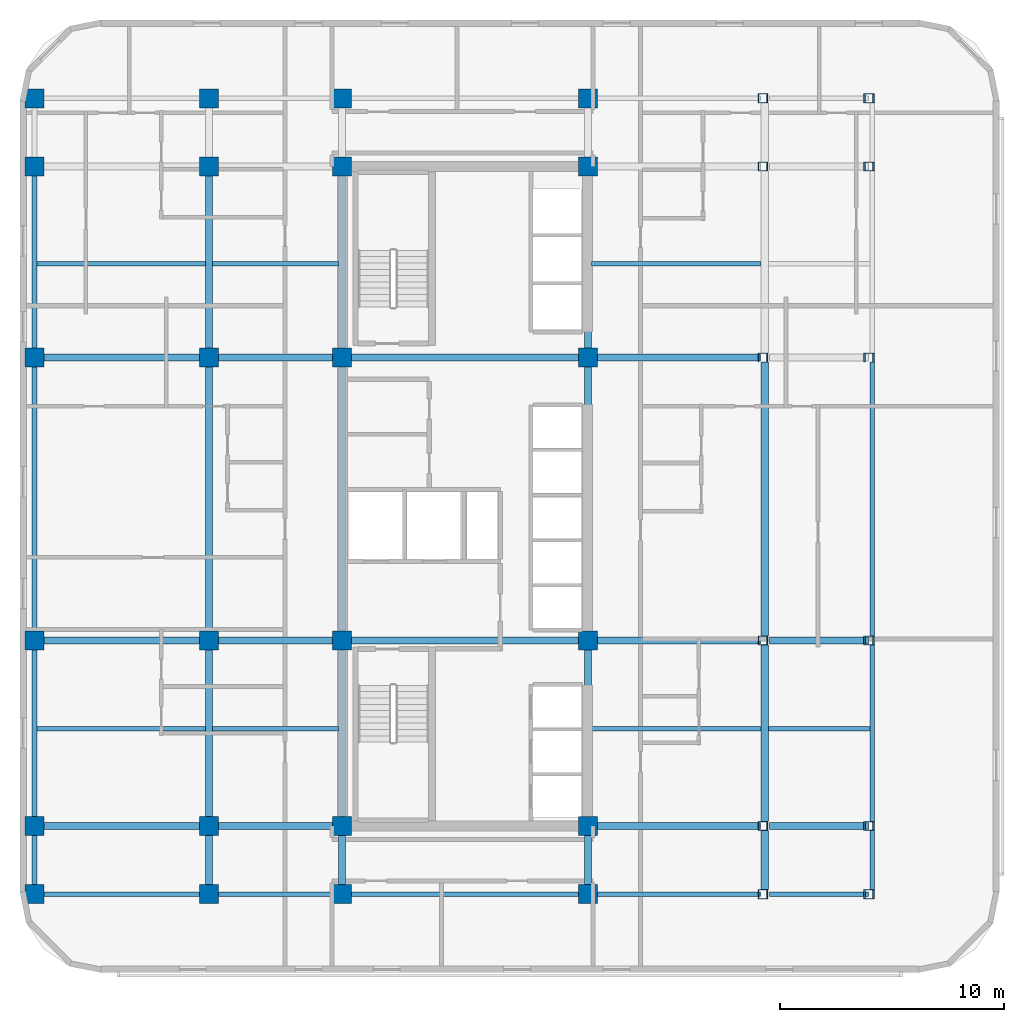
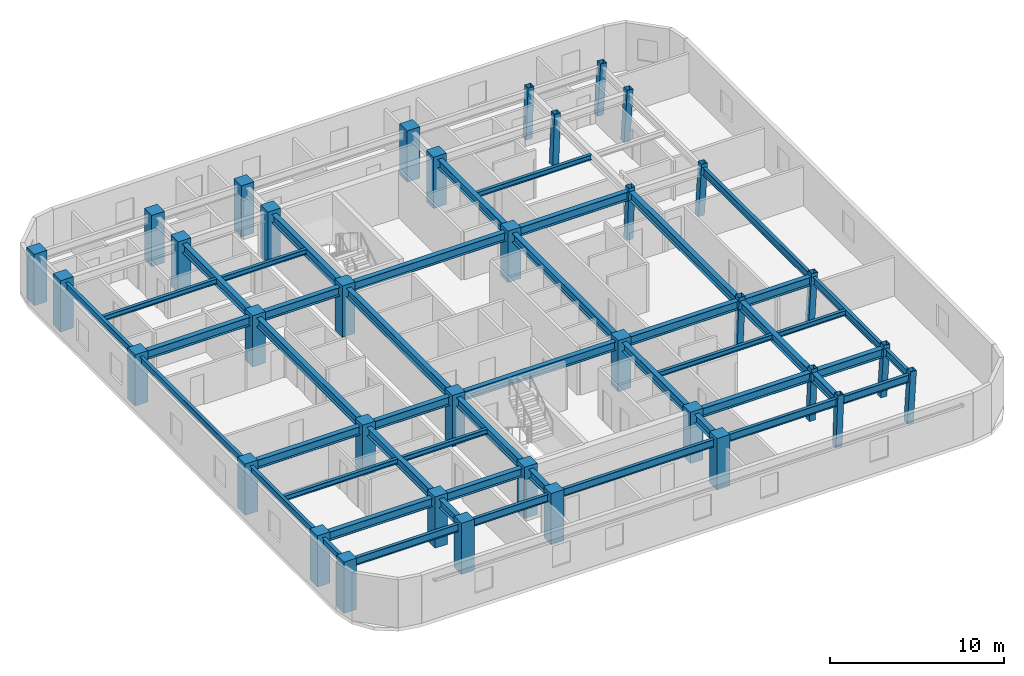
# One storey, part 1 of 11: 47 beams, 36 columns.
"""IFC4 building model written with IfcOpenShell, lengths in metres."""

from ifc_helpers import new_model, si_unit, direction, frame, origin, origin_2d, place, context, subcontext, project, spatial, rectangle, hollow_rectangle, i_section, extrude, material, material_profile, profile_set, type_object, element, save


model = new_model("IFC4")

# Units and contexts
model_context = context("Model", 3, precision=1e-05, world=origin(), true_north=direction((0.0, 1.0)))
body_context = subcontext(model_context, "Body", "Model", "MODEL_VIEW")
ifc_project = project(units=[si_unit("LENGTHUNIT", "METRE"), si_unit("AREAUNIT", "SQUARE_METRE"), si_unit("VOLUMEUNIT", "CUBIC_METRE"), si_unit("PLANEANGLEUNIT", "RADIAN"), si_unit("MASSUNIT", "GRAM", prefix="KILO")], contexts=[model_context])

# Site, building, storey
site_placement = place(None, origin())
site = spatial("IfcSite", under=ifc_project, at=site_placement, CompositionType="ELEMENT")
building_placement = place(site_placement, origin())
building = spatial("IfcBuilding", under=site, at=building_placement, Name="Ochreholt Gables", CompositionType="ELEMENT")
storey_placement = place(building_placement, frame((0.0, 0.0, 87.60009765625)))
storey = spatial("IfcBuildingStorey", under=building, at=storey_placement, Name="L22", CompositionType="ELEMENT", Elevation=87.60009765625)

# Columns
ifc_material_1 = material(Name="Steel CSA G40.21 350W", Category="steel")
ifc_material_profile_1 = material_profile(ifc_material_1, hollow_rectangle(XDim=0.406005859375, YDim=0.406005859375, WallThickness=0.01611328125, at=origin_2d()), Name="HSS406X406X16")
ifc_profile_set_1 = profile_set([ifc_material_profile_1], Name="Steel CSA G40.21 350W")
column_type_1 = type_object("IfcColumnType", Name="COL-HSS406-RAK", PredefinedType="COLUMN", material=ifc_profile_set_1)
for number, where, z_axis, x_axis, name in (
    (1, (43.001953125, 9.25, 0.0), (0.034973505036, 0.0, 0.999388239847), (0.0, 1.0, 0.0), "L22 Column EMY2"),
    (2, (43.001953125, 17.550048828125, 0.0), (0.034973505036, 0.0, 0.999388239847), (0.0, 1.0, 0.0), "L22 Column EMY3"),
    (3, (43.001953125, 30.199951171875, 0.0), (0.034973505036, 0.0, 0.999388239847), (0.0, 1.0, 0.0), "L22 Column EMY4"),
    (4, (43.001953125, 38.75, 0.0), (0.034973505036, 0.0, 0.999388239847), (0.0, 1.0, 0.0), "L22 Column EMY5"),
):
    element("IfcColumn", number, at=place(storey_placement, frame(where, z_axis=z_axis, x_axis=x_axis)), inside=storey, type_object=column_type_1, Name=name, PredefinedType="COLUMN", context=body_context, shape_type="SweptSolid", body=[
        extrude(hollow_rectangle(XDim=0.406005859375, YDim=0.406005859375, WallThickness=0.01611328125, at=origin_2d()), origin(), (0.0, 0.0, 1.0), 3.60205078125),
    ])
ifc_material_profile_2 = material_profile(ifc_material_1, hollow_rectangle(XDim=0.406005859375, YDim=0.406005859375, WallThickness=0.01611328125, at=origin_2d()), Name="HSS406X406X16")
ifc_profile_set_2 = profile_set([ifc_material_profile_2], Name="Steel CSA G40.21 350W")
column_type_2 = type_object("IfcColumnType", Name="COL-HSS406-RAKE", PredefinedType="COLUMN", material=ifc_profile_set_2)
for number, where, z_axis, x_axis, name in (
    (5, (43.001953125, 6.199951171875, 0.0), (0.034973505036, 0.0, 0.999388239847), (0.0, 1.0, 0.0), "L22 Column EMY1"),
    (6, (43.001953125, 41.800048828125, 0.0), (0.034973505036, 0.0, 0.999388239847), (0.0, 1.0, 0.0), "L22 Column EMY6"),
):
    element("IfcColumn", number, at=place(storey_placement, frame(where, z_axis=z_axis, x_axis=x_axis)), inside=storey, type_object=column_type_2, Name=name, PredefinedType="COLUMN", context=body_context, shape_type="SweptSolid", body=[
        extrude(hollow_rectangle(XDim=0.406005859375, YDim=0.406005859375, WallThickness=0.01611328125, at=origin_2d()), origin(), (0.0, 0.0, 1.0), 3.60205078125),
    ])
for number, where, z_axis, x_axis, name in (
    (7, (47.737548828125, 6.199951171875, 0.0), (0.057888518877, 0.0, 0.998323053617), (0.0, 1.0, 0.0), "L22 Column EEY1"),
    (8, (47.737548828125, 9.25, 0.0), (0.057888518877, 0.0, 0.998323053617), (0.0, 1.0, 0.0), "L22 Column EEY2"),
    (9, (47.737548828125, 17.550048828125, 0.0), (0.057888518877, 0.0, 0.998323053617), (0.0, 1.0, 0.0), "L22 Column EEY3"),
    (10, (47.737548828125, 30.199951171875, 0.0), (0.057888518877, 0.0, 0.998323053617), (0.0, 1.0, 0.0), "L22 Column EEY4"),
    (11, (47.737548828125, 38.75, 0.0), (0.057888518877, 0.0, 0.998323053617), (0.0, 1.0, 0.0), "L22 Column EEY5"),
    (12, (47.737548828125, 41.800048828125, 0.0), (0.057888518877, 0.0, 0.998323053617), (0.0, 1.0, 0.0), "L22 Column EEY6"),
):
    element("IfcColumn", number, at=place(storey_placement, frame(where, z_axis=z_axis, x_axis=x_axis)), inside=storey, type_object=column_type_2, Name=name, PredefinedType="COLUMN", context=body_context, shape_type="SweptSolid", body=[
        extrude(hollow_rectangle(XDim=0.406005859375, YDim=0.406005859375, WallThickness=0.01611328125, at=origin_2d()), origin(), (0.0, 0.0, 1.0), 3.60595703125),
    ])
ifc_material_2 = material(Name="Concrete 60 MPa", Category="concrete")
ifc_material_profile_3 = material_profile(ifc_material_2, rectangle(XDim=0.85009765625, YDim=0.85009765625, at=origin_2d()), Name="RC850X850")
ifc_profile_set_3 = profile_set([ifc_material_profile_3], Name="Concrete 60 MPa")
column_type_3 = type_object("IfcColumnType", Name="COL-RC850-EXT", PredefinedType="COLUMN", material=ifc_profile_set_3)
for number, where, z_axis, x_axis, name in (
    (13, (10.449951171875, 6.199951171875, 0.0), (0.0, 0.0, 1.0), (1.0, 0.0, 0.0), "L22 Column W2Y1"),
    (14, (10.449951171875, 9.25, 0.0), (0.0, 0.0, 1.0), (1.0, 0.0, 0.0), "L22 Column W2Y2"),
    (15, (10.449951171875, 17.550048828125, 0.0), (0.0, 0.0, 1.0), (1.0, 0.0, 0.0), "L22 Column W2Y3"),
    (16, (10.449951171875, 30.199951171875, 0.0), (0.0, 0.0, 1.0), (1.0, 0.0, 0.0), "L22 Column W2Y4"),
    (17, (10.449951171875, 38.75, 0.0), (0.0, 0.0, 1.0), (1.0, 0.0, 0.0), "L22 Column W2Y5"),
    (18, (10.449951171875, 41.800048828125, 0.0), (0.0, 0.0, 1.0), (1.0, 0.0, 0.0), "L22 Column W2Y6"),
    (19, (18.25, 6.199951171875, 0.0), (0.0, 0.0, 1.0), (1.0, 0.0, 0.0), "L22 Column W3Y1"),
    (20, (18.25, 41.800048828125, 0.0), (0.0, 0.0, 1.0), (1.0, 0.0, 0.0), "L22 Column W3Y6"),
    (21, (24.199951171875, 6.199951171875, 0.0), (0.0, 0.0, 1.0), (1.0, 0.0, 0.0), "L22 Column C1Y1"),
    (22, (24.199951171875, 41.800048828125, 0.0), (0.0, 0.0, 1.0), (1.0, 0.0, 0.0), "L22 Column C1Y6"),
    (23, (35.199951171875, 6.199951171875, 0.0), (0.0, 0.0, 1.0), (1.0, 0.0, 0.0), "L22 Column C2Y1"),
    (24, (35.199951171875, 41.800048828125, 0.0), (0.0, 0.0, 1.0), (1.0, 0.0, 0.0), "L22 Column C2Y6"),
):
    element("IfcColumn", number, at=place(storey_placement, frame(where, z_axis=z_axis, x_axis=x_axis)), inside=storey, type_object=column_type_3, Name=name, PredefinedType="COLUMN", context=body_context, shape_type="SweptSolid", body=[
        extrude(rectangle(XDim=0.85009765625, YDim=0.85009765625, at=origin_2d()), origin(), (0.0, 0.0, 1.0), 3.599853515625),
    ])
ifc_material_profile_4 = material_profile(ifc_material_2, rectangle(XDim=0.85009765625, YDim=0.85009765625, at=origin_2d()), Name="RC850X850")
ifc_profile_set_4 = profile_set([ifc_material_profile_4], Name="Concrete 60 MPa")
column_type_4 = type_object("IfcColumnType", Name="COL-RC850-INT", PredefinedType="COLUMN", material=ifc_profile_set_4)
for number, where, z_axis, x_axis, name in (
    (25, (18.25, 9.25, 0.0), (0.0, 0.0, 1.0), (1.0, 0.0, 0.0), "L22 Column W3Y2"),
    (26, (18.25, 17.550048828125, 0.0), (0.0, 0.0, 1.0), (1.0, 0.0, 0.0), "L22 Column W3Y3"),
    (27, (18.25, 30.199951171875, 0.0), (0.0, 0.0, 1.0), (1.0, 0.0, 0.0), "L22 Column W3Y4"),
    (28, (18.25, 38.75, 0.0), (0.0, 0.0, 1.0), (1.0, 0.0, 0.0), "L22 Column W3Y5"),
    (29, (24.199951171875, 9.25, 0.0), (0.0, 0.0, 1.0), (1.0, 0.0, 0.0), "L22 Column C1Y2"),
    (30, (24.199951171875, 17.550048828125, 0.0), (0.0, 0.0, 1.0), (1.0, 0.0, 0.0), "L22 Column C1Y3"),
    (31, (24.199951171875, 30.199951171875, 0.0), (0.0, 0.0, 1.0), (1.0, 0.0, 0.0), "L22 Column C1Y4"),
    (32, (24.199951171875, 38.75, 0.0), (0.0, 0.0, 1.0), (1.0, 0.0, 0.0), "L22 Column C1Y5"),
    (33, (35.199951171875, 9.25, 0.0), (0.0, 0.0, 1.0), (1.0, 0.0, 0.0), "L22 Column C2Y2"),
    (34, (35.199951171875, 17.550048828125, 0.0), (0.0, 0.0, 1.0), (1.0, 0.0, 0.0), "L22 Column C2Y3"),
    (35, (35.199951171875, 30.199951171875, 0.0), (0.0, 0.0, 1.0), (1.0, 0.0, 0.0), "L22 Column C2Y4"),
    (36, (35.199951171875, 38.75, 0.0), (0.0, 0.0, 1.0), (1.0, 0.0, 0.0), "L22 Column C2Y5"),
):
    element("IfcColumn", number, at=place(storey_placement, frame(where, z_axis=z_axis, x_axis=x_axis)), inside=storey, type_object=column_type_4, Name=name, PredefinedType="COLUMN", context=body_context, shape_type="SweptSolid", body=[
        extrude(rectangle(XDim=0.85009765625, YDim=0.85009765625, at=origin_2d()), origin(), (0.0, 0.0, 1.0), 3.599853515625),
    ])

# Beams
ifc_material_profile_5 = material_profile(ifc_material_1, i_section(OverallWidth=0.323974609375, OverallDepth=0.611083984375, WebThickness=0.0126953125, FlangeThickness=0.01904296875, at=origin_2d()), Name="W610X155")
ifc_profile_set_5 = profile_set([ifc_material_profile_5], Name="Steel CSA G40.21 350W")
beam_type_1 = type_object("IfcBeamType", Name="BM-G-W610A", PredefinedType="BEAM", material=ifc_profile_set_5)
beam_1_placement = place(storey_placement, frame((10.87451171875, 9.25, 3.054443359375), z_axis=(1.0, 0.0, 0.0), x_axis=(0.0, 1.0, 0.0)))
element("IfcBeam", 37, at=beam_1_placement, inside=storey, type_object=beam_type_1, Name="L22 Beam TBG-L22-W2W3-Y2", PredefinedType="BEAM", context=body_context, shape_type="SweptSolid", body=[
    extrude(i_section(OverallWidth=0.323974609375, OverallDepth=0.611083984375, WebThickness=0.0126953125, FlangeThickness=0.01904296875, at=origin_2d()), origin(), (0.0, 0.0, 1.0), 6.950927734375),
])
beam_2_placement = place(storey_placement, frame((18.674560546875, 9.25, 3.054443359375), z_axis=(1.0, 0.0, 0.0), x_axis=(0.0, 1.0, 0.0)))
element("IfcBeam", 38, at=beam_2_placement, inside=storey, type_object=beam_type_1, Name="L22 Beam TBG-L22-W3C1-Y2", PredefinedType="BEAM", context=body_context, shape_type="SweptSolid", body=[
    extrude(i_section(OverallWidth=0.323974609375, OverallDepth=0.611083984375, WebThickness=0.0126953125, FlangeThickness=0.01904296875, at=origin_2d()), origin(), (0.0, 0.0, 1.0), 5.100830078125),
])
beam_3_placement = place(storey_placement, frame((35.62451171875, 9.25, 3.054443359375), z_axis=(1.0, 0.0, 0.0), x_axis=(0.0, 1.0, 0.0)))
element("IfcBeam", 39, at=beam_3_placement, inside=storey, type_object=beam_type_1, Name="L22 Beam TBG-L22-C2EM-Y2", PredefinedType="BEAM", context=body_context, shape_type="SweptSolid", body=[
    extrude(i_section(OverallWidth=0.323974609375, OverallDepth=0.611083984375, WebThickness=0.0126953125, FlangeThickness=0.01904296875, at=origin_2d()), origin(), (0.0, 0.0, 1.0), 7.30078125),
])
beam_4_placement = place(storey_placement, frame((43.33056640625, 9.25, 3.054443359375), z_axis=(1.0, 0.0, 0.0), x_axis=(0.0, 1.0, 0.0)))
element("IfcBeam", 40, at=beam_4_placement, inside=storey, type_object=beam_type_1, Name="L22 Beam TBG-L22-EMEE-Y2", PredefinedType="BEAM", context=body_context, shape_type="SweptSolid", body=[
    extrude(i_section(OverallWidth=0.323974609375, OverallDepth=0.611083984375, WebThickness=0.0126953125, FlangeThickness=0.01904296875, at=origin_2d()), origin(), (0.0, 0.0, 1.0), 4.413330078125),
])
beam_5_placement = place(storey_placement, frame((10.87451171875, 17.550048828125, 3.054443359375), z_axis=(1.0, 0.0, 0.0), x_axis=(0.0, 1.0, 0.0)))
element("IfcBeam", 41, at=beam_5_placement, inside=storey, type_object=beam_type_1, Name="L22 Beam TBG-L22-W2W3-Y3", PredefinedType="BEAM", context=body_context, shape_type="SweptSolid", body=[
    extrude(i_section(OverallWidth=0.323974609375, OverallDepth=0.611083984375, WebThickness=0.0126953125, FlangeThickness=0.01904296875, at=origin_2d()), origin(), (0.0, 0.0, 1.0), 6.950927734375),
])
beam_6_placement = place(storey_placement, frame((18.674560546875, 17.550048828125, 3.054443359375), z_axis=(1.0, 0.0, 0.0), x_axis=(0.0, 1.0, 0.0)))
element("IfcBeam", 42, at=beam_6_placement, inside=storey, type_object=beam_type_1, Name="L22 Beam TBG-L22-W3C1-Y3", PredefinedType="BEAM", context=body_context, shape_type="SweptSolid", body=[
    extrude(i_section(OverallWidth=0.323974609375, OverallDepth=0.611083984375, WebThickness=0.0126953125, FlangeThickness=0.01904296875, at=origin_2d()), origin(), (0.0, 0.0, 1.0), 5.100830078125),
])
beam_7_placement = place(storey_placement, frame((24.62451171875, 17.550048828125, 3.054443359375), z_axis=(1.0, 0.0, 0.0), x_axis=(0.0, 1.0, 0.0)))
element("IfcBeam", 43, at=beam_7_placement, inside=storey, type_object=beam_type_1, Name="L22 Beam TBG-L22-C1C2-Y3", PredefinedType="BEAM", context=body_context, shape_type="SweptSolid", body=[
    extrude(i_section(OverallWidth=0.323974609375, OverallDepth=0.611083984375, WebThickness=0.0126953125, FlangeThickness=0.01904296875, at=origin_2d()), origin(), (0.0, 0.0, 1.0), 10.15087890625),
])
beam_8_placement = place(storey_placement, frame((35.62451171875, 17.550048828125, 3.054443359375), z_axis=(1.0, 0.0, 0.0), x_axis=(0.0, 1.0, 0.0)))
element("IfcBeam", 44, at=beam_8_placement, inside=storey, type_object=beam_type_1, Name="L22 Beam TBG-L22-C2EM-Y3", PredefinedType="BEAM", context=body_context, shape_type="SweptSolid", body=[
    extrude(i_section(OverallWidth=0.323974609375, OverallDepth=0.611083984375, WebThickness=0.0126953125, FlangeThickness=0.01904296875, at=origin_2d()), origin(), (0.0, 0.0, 1.0), 7.30078125),
])
beam_9_placement = place(storey_placement, frame((43.33056640625, 17.550048828125, 3.054443359375), z_axis=(1.0, 0.0, 0.0), x_axis=(0.0, 1.0, 0.0)))
element("IfcBeam", 45, at=beam_9_placement, inside=storey, type_object=beam_type_1, Name="L22 Beam TBG-L22-EMEE-Y3", PredefinedType="BEAM", context=body_context, shape_type="SweptSolid", body=[
    extrude(i_section(OverallWidth=0.323974609375, OverallDepth=0.611083984375, WebThickness=0.0126953125, FlangeThickness=0.01904296875, at=origin_2d()), origin(), (0.0, 0.0, 1.0), 4.413330078125),
])
beam_10_placement = place(storey_placement, frame((10.87451171875, 30.199951171875, 3.054443359375), z_axis=(1.0, 0.0, 0.0), x_axis=(0.0, 1.0, 0.0)))
element("IfcBeam", 46, at=beam_10_placement, inside=storey, type_object=beam_type_1, Name="L22 Beam TBG-L22-W2W3-Y4", PredefinedType="BEAM", context=body_context, shape_type="SweptSolid", body=[
    extrude(i_section(OverallWidth=0.323974609375, OverallDepth=0.611083984375, WebThickness=0.0126953125, FlangeThickness=0.01904296875, at=origin_2d()), origin(), (0.0, 0.0, 1.0), 6.950927734375),
])
beam_11_placement = place(storey_placement, frame((18.674560546875, 30.199951171875, 3.054443359375), z_axis=(1.0, 0.0, 0.0), x_axis=(0.0, 1.0, 0.0)))
element("IfcBeam", 47, at=beam_11_placement, inside=storey, type_object=beam_type_1, Name="L22 Beam TBG-L22-W3C1-Y4", PredefinedType="BEAM", context=body_context, shape_type="SweptSolid", body=[
    extrude(i_section(OverallWidth=0.323974609375, OverallDepth=0.611083984375, WebThickness=0.0126953125, FlangeThickness=0.01904296875, at=origin_2d()), origin(), (0.0, 0.0, 1.0), 5.100830078125),
])
beam_12_placement = place(storey_placement, frame((24.62451171875, 30.199951171875, 3.054443359375), z_axis=(1.0, 0.0, 0.0), x_axis=(0.0, 1.0, 0.0)))
element("IfcBeam", 48, at=beam_12_placement, inside=storey, type_object=beam_type_1, Name="L22 Beam TBG-L22-C1C2-Y4", PredefinedType="BEAM", context=body_context, shape_type="SweptSolid", body=[
    extrude(i_section(OverallWidth=0.323974609375, OverallDepth=0.611083984375, WebThickness=0.0126953125, FlangeThickness=0.01904296875, at=origin_2d()), origin(), (0.0, 0.0, 1.0), 10.15087890625),
])
beam_13_placement = place(storey_placement, frame((35.62451171875, 30.199951171875, 3.054443359375), z_axis=(1.0, 0.0, 0.0), x_axis=(0.0, 1.0, 0.0)))
element("IfcBeam", 49, at=beam_13_placement, inside=storey, type_object=beam_type_1, Name="L22 Beam TBG-L22-C2EM-Y4", PredefinedType="BEAM", context=body_context, shape_type="SweptSolid", body=[
    extrude(i_section(OverallWidth=0.323974609375, OverallDepth=0.611083984375, WebThickness=0.0126953125, FlangeThickness=0.01904296875, at=origin_2d()), origin(), (0.0, 0.0, 1.0), 7.30078125),
])
beam_14_placement = place(storey_placement, frame((18.25, 6.62451171875, 3.054443359375), z_axis=(0.0, 1.0, 0.0), x_axis=(-1.0, 0.0, 0.0)))
element("IfcBeam", 50, at=beam_14_placement, inside=storey, type_object=beam_type_1, Name="L22 Beam TBN-L22-W3-Y1Y2", PredefinedType="BEAM", context=body_context, shape_type="SweptSolid", body=[
    extrude(i_section(OverallWidth=0.323974609375, OverallDepth=0.611083984375, WebThickness=0.0126953125, FlangeThickness=0.01904296875, at=origin_2d()), origin(), (0.0, 0.0, 1.0), 2.200927734375),
])
beam_15_placement = place(storey_placement, frame((18.25, 9.674560546875, 3.054443359375), z_axis=(0.0, 1.0, 0.0), x_axis=(-1.0, 0.0, 0.0)))
element("IfcBeam", 51, at=beam_15_placement, inside=storey, type_object=beam_type_1, Name="L22 Beam TBN-L22-W3-Y2Y3", PredefinedType="BEAM", context=body_context, shape_type="SweptSolid", body=[
    extrude(i_section(OverallWidth=0.323974609375, OverallDepth=0.611083984375, WebThickness=0.0126953125, FlangeThickness=0.01904296875, at=origin_2d()), origin(), (0.0, 0.0, 1.0), 7.450927734375),
])
beam_16_placement = place(storey_placement, frame((18.25, 17.974609375, 3.054443359375), z_axis=(0.0, 1.0, 0.0), x_axis=(-1.0, 0.0, 0.0)))
element("IfcBeam", 52, at=beam_16_placement, inside=storey, type_object=beam_type_1, Name="L22 Beam TBN-L22-W3-Y3Y4", PredefinedType="BEAM", context=body_context, shape_type="SweptSolid", body=[
    extrude(i_section(OverallWidth=0.323974609375, OverallDepth=0.611083984375, WebThickness=0.0126953125, FlangeThickness=0.01904296875, at=origin_2d()), origin(), (0.0, 0.0, 1.0), 11.80078125),
])
beam_17_placement = place(storey_placement, frame((18.25, 30.62451171875, 3.054443359375), z_axis=(0.0, 1.0, 0.0), x_axis=(-1.0, 0.0, 0.0)))
element("IfcBeam", 53, at=beam_17_placement, inside=storey, type_object=beam_type_1, Name="L22 Beam TBN-L22-W3-Y4Y5", PredefinedType="BEAM", context=body_context, shape_type="SweptSolid", body=[
    extrude(i_section(OverallWidth=0.323974609375, OverallDepth=0.611083984375, WebThickness=0.0126953125, FlangeThickness=0.01904296875, at=origin_2d()), origin(), (0.0, 0.0, 1.0), 7.700927734375),
])
beam_18_placement = place(storey_placement, frame((24.199951171875, 6.62451171875, 3.054443359375), z_axis=(0.0, 1.0, 0.0), x_axis=(-1.0, 0.0, 0.0)))
element("IfcBeam", 54, at=beam_18_placement, inside=storey, type_object=beam_type_1, Name="L22 Beam TBN-L22-C1-Y1Y2", PredefinedType="BEAM", context=body_context, shape_type="SweptSolid", body=[
    extrude(i_section(OverallWidth=0.323974609375, OverallDepth=0.611083984375, WebThickness=0.0126953125, FlangeThickness=0.01904296875, at=origin_2d()), origin(), (0.0, 0.0, 1.0), 2.200927734375),
])
beam_19_placement = place(storey_placement, frame((24.199951171875, 9.674560546875, 3.054443359375), z_axis=(0.0, 1.0, 0.0), x_axis=(-1.0, 0.0, 0.0)))
element("IfcBeam", 55, at=beam_19_placement, inside=storey, type_object=beam_type_1, Name="L22 Beam TBN-L22-C1-Y2Y3", PredefinedType="BEAM", context=body_context, shape_type="SweptSolid", body=[
    extrude(i_section(OverallWidth=0.323974609375, OverallDepth=0.611083984375, WebThickness=0.0126953125, FlangeThickness=0.01904296875, at=origin_2d()), origin(), (0.0, 0.0, 1.0), 7.450927734375),
])
beam_20_placement = place(storey_placement, frame((24.199951171875, 17.974609375, 3.054443359375), z_axis=(0.0, 1.0, 0.0), x_axis=(-1.0, 0.0, 0.0)))
element("IfcBeam", 56, at=beam_20_placement, inside=storey, type_object=beam_type_1, Name="L22 Beam TBN-L22-C1-Y3Y4", PredefinedType="BEAM", context=body_context, shape_type="SweptSolid", body=[
    extrude(i_section(OverallWidth=0.323974609375, OverallDepth=0.611083984375, WebThickness=0.0126953125, FlangeThickness=0.01904296875, at=origin_2d()), origin(), (0.0, 0.0, 1.0), 11.80078125),
])
beam_21_placement = place(storey_placement, frame((24.199951171875, 30.62451171875, 3.054443359375), z_axis=(0.0, 1.0, 0.0), x_axis=(-1.0, 0.0, 0.0)))
element("IfcBeam", 57, at=beam_21_placement, inside=storey, type_object=beam_type_1, Name="L22 Beam TBN-L22-C1-Y4Y5", PredefinedType="BEAM", context=body_context, shape_type="SweptSolid", body=[
    extrude(i_section(OverallWidth=0.323974609375, OverallDepth=0.611083984375, WebThickness=0.0126953125, FlangeThickness=0.01904296875, at=origin_2d()), origin(), (0.0, 0.0, 1.0), 7.700927734375),
])
beam_22_placement = place(storey_placement, frame((35.199951171875, 6.62451171875, 3.054443359375), z_axis=(0.0, 1.0, 0.0), x_axis=(-1.0, 0.0, 0.0)))
element("IfcBeam", 58, at=beam_22_placement, inside=storey, type_object=beam_type_1, Name="L22 Beam TBN-L22-C2-Y1Y2", PredefinedType="BEAM", context=body_context, shape_type="SweptSolid", body=[
    extrude(i_section(OverallWidth=0.323974609375, OverallDepth=0.611083984375, WebThickness=0.0126953125, FlangeThickness=0.01904296875, at=origin_2d()), origin(), (0.0, 0.0, 1.0), 2.200927734375),
])
beam_23_placement = place(storey_placement, frame((35.199951171875, 9.674560546875, 3.054443359375), z_axis=(0.0, 1.0, 0.0), x_axis=(-1.0, 0.0, 0.0)))
element("IfcBeam", 59, at=beam_23_placement, inside=storey, type_object=beam_type_1, Name="L22 Beam TBN-L22-C2-Y2Y3", PredefinedType="BEAM", context=body_context, shape_type="SweptSolid", body=[
    extrude(i_section(OverallWidth=0.323974609375, OverallDepth=0.611083984375, WebThickness=0.0126953125, FlangeThickness=0.01904296875, at=origin_2d()), origin(), (0.0, 0.0, 1.0), 7.450927734375),
])
beam_24_placement = place(storey_placement, frame((35.199951171875, 17.974609375, 3.054443359375), z_axis=(0.0, 1.0, 0.0), x_axis=(-1.0, 0.0, 0.0)))
element("IfcBeam", 60, at=beam_24_placement, inside=storey, type_object=beam_type_1, Name="L22 Beam TBN-L22-C2-Y3Y4", PredefinedType="BEAM", context=body_context, shape_type="SweptSolid", body=[
    extrude(i_section(OverallWidth=0.323974609375, OverallDepth=0.611083984375, WebThickness=0.0126953125, FlangeThickness=0.01904296875, at=origin_2d()), origin(), (0.0, 0.0, 1.0), 11.80078125),
])
beam_25_placement = place(storey_placement, frame((35.199951171875, 30.62451171875, 3.054443359375), z_axis=(0.0, 1.0, 0.0), x_axis=(-1.0, 0.0, 0.0)))
element("IfcBeam", 61, at=beam_25_placement, inside=storey, type_object=beam_type_1, Name="L22 Beam TBN-L22-C2-Y4Y5", PredefinedType="BEAM", context=body_context, shape_type="SweptSolid", body=[
    extrude(i_section(OverallWidth=0.323974609375, OverallDepth=0.611083984375, WebThickness=0.0126953125, FlangeThickness=0.01904296875, at=origin_2d()), origin(), (0.0, 0.0, 1.0), 7.700927734375),
])
beam_26_placement = place(storey_placement, frame((43.11083984375, 6.402587890625, 3.054443359375), z_axis=(0.0, 1.0, 0.0), x_axis=(-1.0, 0.0, 0.0)))
element("IfcBeam", 62, at=beam_26_placement, inside=storey, type_object=beam_type_1, Name="L22 Beam TBN-L22-EM-Y1Y2", PredefinedType="BEAM", context=body_context, shape_type="SweptSolid", body=[
    extrude(i_section(OverallWidth=0.323974609375, OverallDepth=0.611083984375, WebThickness=0.0126953125, FlangeThickness=0.01904296875, at=origin_2d()), origin(), (0.0, 0.0, 1.0), 2.644775390625),
])
beam_27_placement = place(storey_placement, frame((43.11083984375, 9.45263671875, 3.054443359375), z_axis=(0.0, 1.0, 0.0), x_axis=(-1.0, 0.0, 0.0)))
element("IfcBeam", 63, at=beam_27_placement, inside=storey, type_object=beam_type_1, Name="L22 Beam TBN-L22-EM-Y2Y3", PredefinedType="BEAM", context=body_context, shape_type="SweptSolid", body=[
    extrude(i_section(OverallWidth=0.323974609375, OverallDepth=0.611083984375, WebThickness=0.0126953125, FlangeThickness=0.01904296875, at=origin_2d()), origin(), (0.0, 0.0, 1.0), 7.894775390625),
])
beam_28_placement = place(storey_placement, frame((43.11083984375, 17.752685546875, 3.054443359375), z_axis=(0.0, 1.0, 0.0), x_axis=(-1.0, 0.0, 0.0)))
element("IfcBeam", 64, at=beam_28_placement, inside=storey, type_object=beam_type_1, Name="L22 Beam TBN-L22-EM-Y3Y4", PredefinedType="BEAM", context=body_context, shape_type="SweptSolid", body=[
    extrude(i_section(OverallWidth=0.323974609375, OverallDepth=0.611083984375, WebThickness=0.0126953125, FlangeThickness=0.01904296875, at=origin_2d()), origin(), (0.0, 0.0, 1.0), 12.24462890625),
])
ifc_material_profile_6 = material_profile(ifc_material_1, i_section(OverallWidth=0.205078125, OverallDepth=0.35400390625, WebThickness=0.009521484375, FlangeThickness=0.016845703125, at=origin_2d()), Name="W360X79")
ifc_profile_set_6 = profile_set([ifc_material_profile_6], Name="Steel CSA G40.21 350W")
beam_type_2 = type_object("IfcBeamType", Name="BM-J-W360A", PredefinedType="JOIST", material=ifc_profile_set_6)
beam_29_placement = place(storey_placement, frame((10.55419921875, 13.60009765625, 3.182861328125), z_axis=(1.0, 0.0, 0.0), x_axis=(0.0, 1.0, 0.0)))
element("IfcBeam", 65, at=beam_29_placement, inside=storey, type_object=beam_type_2, Name="L22 Beam TBJ-L22-J1-W2W3", PredefinedType="JOIST", context=body_context, shape_type="SweptSolid", body=[
    extrude(i_section(OverallWidth=0.205078125, OverallDepth=0.35400390625, WebThickness=0.009521484375, FlangeThickness=0.016845703125, at=origin_2d()), origin(), (0.0, 0.0, 1.0), 7.5341796875),
])
beam_30_placement = place(storey_placement, frame((18.41162109375, 13.60009765625, 3.182861328125), z_axis=(1.0, 0.0, 0.0), x_axis=(0.0, 1.0, 0.0)))
element("IfcBeam", 66, at=beam_30_placement, inside=storey, type_object=beam_type_2, Name="L22 Beam TBJ-L22-J1-W3C1", PredefinedType="JOIST", context=body_context, shape_type="SweptSolid", body=[
    extrude(i_section(OverallWidth=0.205078125, OverallDepth=0.35400390625, WebThickness=0.009521484375, FlangeThickness=0.016845703125, at=origin_2d()), origin(), (0.0, 0.0, 1.0), 5.626708984375),
])
beam_31_placement = place(storey_placement, frame((35.361572265625, 13.60009765625, 3.182861328125), z_axis=(1.0, 0.0, 0.0), x_axis=(0.0, 1.0, 0.0)))
element("IfcBeam", 67, at=beam_31_placement, inside=storey, type_object=beam_type_2, Name="L22 Beam TBJ-L22-J1-C2EM", PredefinedType="JOIST", context=body_context, shape_type="SweptSolid", body=[
    extrude(i_section(OverallWidth=0.205078125, OverallDepth=0.35400390625, WebThickness=0.009521484375, FlangeThickness=0.016845703125, at=origin_2d()), origin(), (0.0, 0.0, 1.0), 7.587646484375),
])
beam_32_placement = place(storey_placement, frame((43.2724609375, 13.60009765625, 3.182861328125), z_axis=(1.0, 0.0, 0.0), x_axis=(0.0, 1.0, 0.0)))
element("IfcBeam", 68, at=beam_32_placement, inside=storey, type_object=beam_type_2, Name="L22 Beam TBJ-L22-J1-EMEE", PredefinedType="JOIST", context=body_context, shape_type="SweptSolid", body=[
    extrude(i_section(OverallWidth=0.205078125, OverallDepth=0.35400390625, WebThickness=0.009521484375, FlangeThickness=0.016845703125, at=origin_2d()), origin(), (0.0, 0.0, 1.0), 4.54150390625),
])
beam_33_placement = place(storey_placement, frame((10.55419921875, 34.39990234375, 3.182861328125), z_axis=(1.0, 0.0, 0.0), x_axis=(0.0, 1.0, 0.0)))
element("IfcBeam", 69, at=beam_33_placement, inside=storey, type_object=beam_type_2, Name="L22 Beam TBJ-L22-J2-W2W3", PredefinedType="JOIST", context=body_context, shape_type="SweptSolid", body=[
    extrude(i_section(OverallWidth=0.205078125, OverallDepth=0.35400390625, WebThickness=0.009521484375, FlangeThickness=0.016845703125, at=origin_2d()), origin(), (0.0, 0.0, 1.0), 7.5341796875),
])
beam_34_placement = place(storey_placement, frame((18.41162109375, 34.39990234375, 3.182861328125), z_axis=(1.0, 0.0, 0.0), x_axis=(0.0, 1.0, 0.0)))
element("IfcBeam", 70, at=beam_34_placement, inside=storey, type_object=beam_type_2, Name="L22 Beam TBJ-L22-J2-W3C1", PredefinedType="JOIST", context=body_context, shape_type="SweptSolid", body=[
    extrude(i_section(OverallWidth=0.205078125, OverallDepth=0.35400390625, WebThickness=0.009521484375, FlangeThickness=0.016845703125, at=origin_2d()), origin(), (0.0, 0.0, 1.0), 5.626708984375),
])
beam_35_placement = place(storey_placement, frame((35.361572265625, 34.39990234375, 3.182861328125), z_axis=(1.0, 0.0, 0.0), x_axis=(0.0, 1.0, 0.0)))
element("IfcBeam", 71, at=beam_35_placement, inside=storey, type_object=beam_type_2, Name="L22 Beam TBJ-L22-J2-C2EM", PredefinedType="JOIST", context=body_context, shape_type="SweptSolid", body=[
    extrude(i_section(OverallWidth=0.205078125, OverallDepth=0.35400390625, WebThickness=0.009521484375, FlangeThickness=0.016845703125, at=origin_2d()), origin(), (0.0, 0.0, 1.0), 7.587646484375),
])
ifc_material_profile_7 = material_profile(ifc_material_1, i_section(OverallWidth=0.208984375, OverallDepth=0.532958984375, WebThickness=0.01025390625, FlangeThickness=0.015625, at=origin_2d()), Name="W530X92")
ifc_profile_set_7 = profile_set([ifc_material_profile_7], Name="Steel CSA G40.21 350W")
beam_type_3 = type_object("IfcBeamType", Name="BM-SP-W530B", PredefinedType="SPANDREL", material=ifc_profile_set_7)
beam_36_placement = place(storey_placement, frame((10.87451171875, 6.199951171875, 3.093505859375), z_axis=(1.0, 0.0, 0.0), x_axis=(0.0, 1.0, 0.0)))
element("IfcBeam", 72, at=beam_36_placement, inside=storey, type_object=beam_type_3, Name="L22 Beam TBG-L22-W2W3-Y1", PredefinedType="SPANDREL", context=body_context, shape_type="SweptSolid", body=[
    extrude(i_section(OverallWidth=0.208984375, OverallDepth=0.532958984375, WebThickness=0.01025390625, FlangeThickness=0.015625, at=origin_2d()), origin(), (0.0, 0.0, 1.0), 6.950927734375),
])
beam_37_placement = place(storey_placement, frame((18.674560546875, 6.199951171875, 3.093505859375), z_axis=(1.0, 0.0, 0.0), x_axis=(0.0, 1.0, 0.0)))
element("IfcBeam", 73, at=beam_37_placement, inside=storey, type_object=beam_type_3, Name="L22 Beam TBG-L22-W3C1-Y1", PredefinedType="SPANDREL", context=body_context, shape_type="SweptSolid", body=[
    extrude(i_section(OverallWidth=0.208984375, OverallDepth=0.532958984375, WebThickness=0.01025390625, FlangeThickness=0.015625, at=origin_2d()), origin(), (0.0, 0.0, 1.0), 5.100830078125),
])
beam_38_placement = place(storey_placement, frame((24.62451171875, 6.199951171875, 3.093505859375), z_axis=(1.0, 0.0, 0.0), x_axis=(0.0, 1.0, 0.0)))
element("IfcBeam", 74, at=beam_38_placement, inside=storey, type_object=beam_type_3, Name="L22 Beam TBG-L22-C1C2-Y1", PredefinedType="SPANDREL", context=body_context, shape_type="SweptSolid", body=[
    extrude(i_section(OverallWidth=0.208984375, OverallDepth=0.532958984375, WebThickness=0.01025390625, FlangeThickness=0.015625, at=origin_2d()), origin(), (0.0, 0.0, 1.0), 10.15087890625),
])
beam_39_placement = place(storey_placement, frame((35.62451171875, 6.199951171875, 3.093505859375), z_axis=(1.0, 0.0, 0.0), x_axis=(0.0, 1.0, 0.0)))
element("IfcBeam", 75, at=beam_39_placement, inside=storey, type_object=beam_type_3, Name="L22 Beam TBG-L22-C2EM-Y1", PredefinedType="SPANDREL", context=body_context, shape_type="SweptSolid", body=[
    extrude(i_section(OverallWidth=0.208984375, OverallDepth=0.532958984375, WebThickness=0.01025390625, FlangeThickness=0.015625, at=origin_2d()), origin(), (0.0, 0.0, 1.0), 7.30078125),
])
beam_40_placement = place(storey_placement, frame((43.33056640625, 6.199951171875, 3.093505859375), z_axis=(1.0, 0.0, 0.0), x_axis=(0.0, 1.0, 0.0)))
element("IfcBeam", 76, at=beam_40_placement, inside=storey, type_object=beam_type_3, Name="L22 Beam TBG-L22-EMEE-Y1", PredefinedType="SPANDREL", context=body_context, shape_type="SweptSolid", body=[
    extrude(i_section(OverallWidth=0.208984375, OverallDepth=0.532958984375, WebThickness=0.01025390625, FlangeThickness=0.015625, at=origin_2d()), origin(), (0.0, 0.0, 1.0), 4.413330078125),
])
beam_41_placement = place(storey_placement, frame((10.449951171875, 6.62451171875, 3.093505859375), z_axis=(0.0, 1.0, 0.0), x_axis=(-1.0, 0.0, 0.0)))
element("IfcBeam", 77, at=beam_41_placement, inside=storey, type_object=beam_type_3, Name="L22 Beam TBN-L22-W2-Y1Y2", PredefinedType="SPANDREL", context=body_context, shape_type="SweptSolid", body=[
    extrude(i_section(OverallWidth=0.208984375, OverallDepth=0.532958984375, WebThickness=0.01025390625, FlangeThickness=0.015625, at=origin_2d()), origin(), (0.0, 0.0, 1.0), 2.200927734375),
])
beam_42_placement = place(storey_placement, frame((10.449951171875, 9.674560546875, 3.093505859375), z_axis=(0.0, 1.0, 0.0), x_axis=(-1.0, 0.0, 0.0)))
element("IfcBeam", 78, at=beam_42_placement, inside=storey, type_object=beam_type_3, Name="L22 Beam TBN-L22-W2-Y2Y3", PredefinedType="SPANDREL", context=body_context, shape_type="SweptSolid", body=[
    extrude(i_section(OverallWidth=0.208984375, OverallDepth=0.532958984375, WebThickness=0.01025390625, FlangeThickness=0.015625, at=origin_2d()), origin(), (0.0, 0.0, 1.0), 7.450927734375),
])
beam_43_placement = place(storey_placement, frame((10.449951171875, 17.974609375, 3.093505859375), z_axis=(0.0, 1.0, 0.0), x_axis=(-1.0, 0.0, 0.0)))
element("IfcBeam", 79, at=beam_43_placement, inside=storey, type_object=beam_type_3, Name="L22 Beam TBN-L22-W2-Y3Y4", PredefinedType="SPANDREL", context=body_context, shape_type="SweptSolid", body=[
    extrude(i_section(OverallWidth=0.208984375, OverallDepth=0.532958984375, WebThickness=0.01025390625, FlangeThickness=0.015625, at=origin_2d()), origin(), (0.0, 0.0, 1.0), 11.80078125),
])
beam_44_placement = place(storey_placement, frame((10.449951171875, 30.62451171875, 3.093505859375), z_axis=(0.0, 1.0, 0.0), x_axis=(-1.0, 0.0, 0.0)))
element("IfcBeam", 80, at=beam_44_placement, inside=storey, type_object=beam_type_3, Name="L22 Beam TBN-L22-W2-Y4Y5", PredefinedType="SPANDREL", context=body_context, shape_type="SweptSolid", body=[
    extrude(i_section(OverallWidth=0.208984375, OverallDepth=0.532958984375, WebThickness=0.01025390625, FlangeThickness=0.015625, at=origin_2d()), origin(), (0.0, 0.0, 1.0), 7.700927734375),
])
beam_45_placement = place(storey_placement, frame((47.91796875, 6.402587890625, 3.093505859375), z_axis=(0.0, 1.0, 0.0), x_axis=(-1.0, 0.0, 0.0)))
element("IfcBeam", 81, at=beam_45_placement, inside=storey, type_object=beam_type_3, Name="L22 Beam TBN-L22-EE-Y1Y2", PredefinedType="SPANDREL", context=body_context, shape_type="SweptSolid", body=[
    extrude(i_section(OverallWidth=0.208984375, OverallDepth=0.532958984375, WebThickness=0.01025390625, FlangeThickness=0.015625, at=origin_2d()), origin(), (0.0, 0.0, 1.0), 2.644775390625),
])
beam_46_placement = place(storey_placement, frame((47.91796875, 9.45263671875, 3.093505859375), z_axis=(0.0, 1.0, 0.0), x_axis=(-1.0, 0.0, 0.0)))
element("IfcBeam", 82, at=beam_46_placement, inside=storey, type_object=beam_type_3, Name="L22 Beam TBN-L22-EE-Y2Y3", PredefinedType="SPANDREL", context=body_context, shape_type="SweptSolid", body=[
    extrude(i_section(OverallWidth=0.208984375, OverallDepth=0.532958984375, WebThickness=0.01025390625, FlangeThickness=0.015625, at=origin_2d()), origin(), (0.0, 0.0, 1.0), 7.894775390625),
])
beam_47_placement = place(storey_placement, frame((47.91796875, 17.752685546875, 3.093505859375), z_axis=(0.0, 1.0, 0.0), x_axis=(-1.0, 0.0, 0.0)))
element("IfcBeam", 83, at=beam_47_placement, inside=storey, type_object=beam_type_3, Name="L22 Beam TBN-L22-EE-Y3Y4", PredefinedType="SPANDREL", context=body_context, shape_type="SweptSolid", body=[
    extrude(i_section(OverallWidth=0.208984375, OverallDepth=0.532958984375, WebThickness=0.01025390625, FlangeThickness=0.015625, at=origin_2d()), origin(), (0.0, 0.0, 1.0), 12.24462890625),
])

save(model, "model.ifc")
